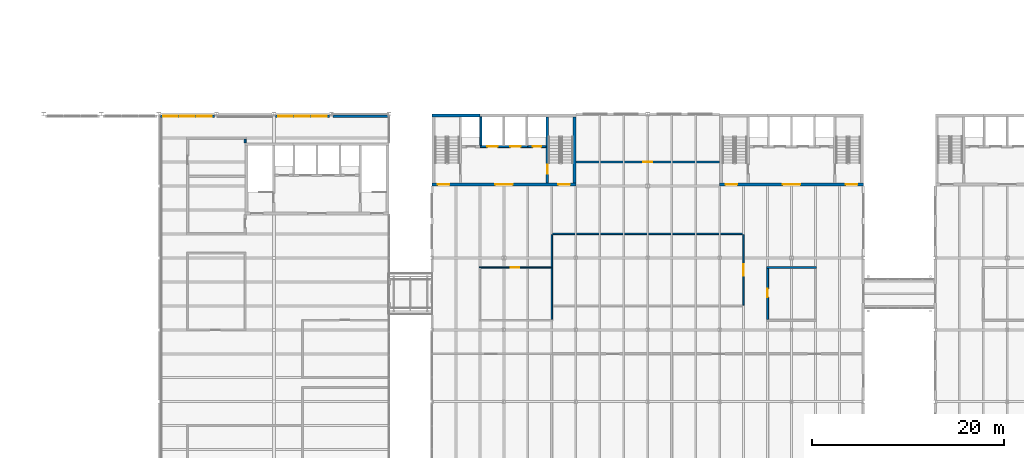
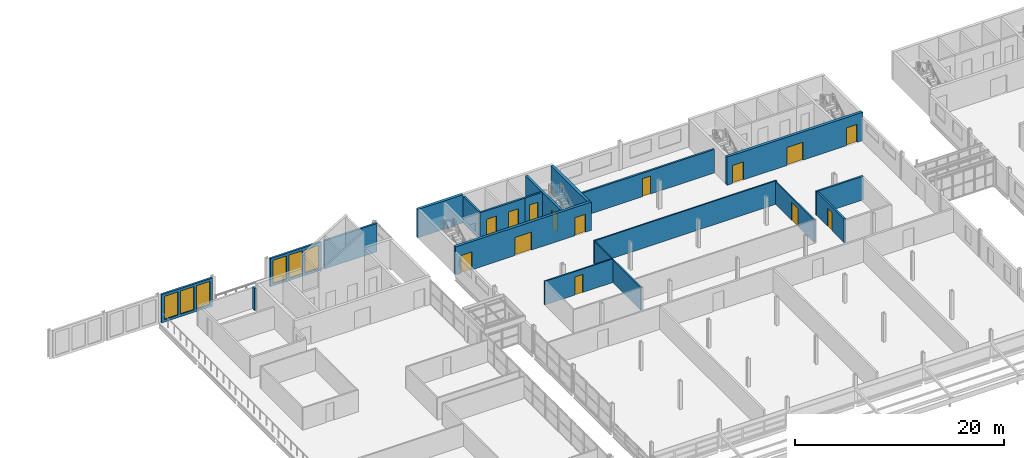
# One storey, part 66 of 214: 19 walls, 14 doors, 6 windows, 20 openings.
"""IFC4 building model written with IfcOpenShell, lengths in metres."""

import ifcopenshell
import ifcopenshell.guid

model = None  # the IFC model being written
_history = None  # IfcOwnerHistory: only IFC2X3 demands one
_inside = {}  # id of a spatial element -> (the spatial element, [elements in it])
_under = {}  # id of a project, library or spatial element -> (it, [spatial elements below it])
_declared = {}  # id of a project -> (the project, [libraries it declares])
_typed = {}  # id of a type object -> (the type object, [elements of that type])
_made_of = {}  # id of a material, layer set ... -> (it, [elements and type objects made of it])


def new_model(schema):
    """Start an empty IFC model of exactly this schema.

    Asked for "IFC4X3", IfcOpenShell would pick the latest addendum, in which some entities
    have other attributes; the version numbers below select the first issue.
    IFC2X3 requires an IfcOwnerHistory on every rooted entity: one is made here for all.
    """
    global model, _history
    if schema == "IFC4X3":
        model = ifcopenshell.file(schema_version=(4, 3, 0, 0))
    else:
        model = ifcopenshell.file(schema=schema)
    _inside.clear()
    _under.clear()
    _declared.clear()
    _typed.clear()
    _made_of.clear()
    _history = None
    if model.schema == "IFC2X3":
        org = make("IfcOrganization", Name="unknown")
        user = make(
            "IfcPersonAndOrganization",
            ThePerson=make("IfcPerson", FamilyName="unknown"),
            TheOrganization=org,
        )
        app = make(
            "IfcApplication",
            ApplicationDeveloper=org,
            Version="unknown",
            ApplicationFullName="unknown",
            ApplicationIdentifier="unknown",
        )
        _history = make(
            "IfcOwnerHistory",
            OwningUser=user,
            OwningApplication=app,
            ChangeAction="ADDED",
            CreationDate=0,
        )
    return model


def make(cls, **values):
    """One entity of the class cls with the attributes given. An attribute that is None is left unset."""
    return model.create_entity(
        cls, **{name: value for name, value in values.items() if value is not None}
    )


def rooted(cls, **values):
    """An entity with a GlobalId (a new one), such as an element, a storey or a relation."""
    return make(cls, GlobalId=ifcopenshell.guid.new(), OwnerHistory=_history, **values)


def si_unit(unit_type, name, prefix=None):
    """IfcSIUnit, for example si_unit("LENGTHUNIT", "METRE", prefix="MILLI")."""
    return make("IfcSIUnit", UnitType=unit_type, Prefix=prefix, Name=name)


def assignment(units):
    """IfcUnitAssignment: the units of a project."""
    return None if units is None else make("IfcUnitAssignment", Units=units)


def point(xyz):
    """IfcCartesianPoint."""
    return None if xyz is None else make("IfcCartesianPoint", Coordinates=xyz)


def direction(xyz):
    """IfcDirection."""
    return None if xyz is None else make("IfcDirection", DirectionRatios=xyz)


def frame(location, z_axis=None, x_axis=None):
    """IfcAxis2Placement3D, a coordinate frame: its origin and axes. An axis left out is left unset."""
    return make(
        "IfcAxis2Placement3D",
        Location=point(location),
        Axis=direction(z_axis),
        RefDirection=direction(x_axis),
    )


def frame_2d(location, x_axis=None):
    """IfcAxis2Placement2D, a coordinate frame in the plane: its origin and x axis."""
    return make(
        "IfcAxis2Placement2D", Location=point(location), RefDirection=direction(x_axis)
    )


def origin():
    """The frame at (0, 0, 0) with its axes left unset."""
    return frame((0.0, 0.0, 0.0))


def place(relative_to, where):
    """IfcLocalPlacement: puts the frame where relative to a parent placement (None: the world)."""
    return make(
        "IfcLocalPlacement", PlacementRelTo=relative_to, RelativePlacement=where
    )


def context(
    kind, dimensions, precision=None, world=None, true_north=None, identifier=None
):
    """IfcGeometricRepresentationContext, for example the 3D "Model" context."""
    return make(
        "IfcGeometricRepresentationContext",
        ContextIdentifier=identifier,
        ContextType=kind,
        CoordinateSpaceDimension=dimensions,
        Precision=precision,
        WorldCoordinateSystem=world,
        TrueNorth=true_north,
    )


def subcontext(parent, identifier, kind, view, scale=None):
    """IfcGeometricRepresentationSubContext, for example "Body" below "Model"."""
    return make(
        "IfcGeometricRepresentationSubContext",
        ContextIdentifier=identifier,
        ContextType=kind,
        ParentContext=parent,
        TargetScale=scale,
        TargetView=view,
    )


def project(units=None, contexts=None):
    """IfcProject with its units and contexts."""
    return rooted(
        "IfcProject",
        Name="project",
        RepresentationContexts=contexts,
        UnitsInContext=assignment(units),
    )


def spatial(cls, under=None, at=None, **own):
    """A site, building, storey or space (cls), placed at a placement, below another one or the project."""
    s = rooted(cls, ObjectPlacement=at, **own)
    if under is not None:
        _under.setdefault(under.id(), (under, []))[1].append(s)
    return s


def profile(cls, at=None, kind="AREA", **sizes):
    """A parametric profile (cls). Its sizes go by their IFC names, for example OverallWidth=200.0."""
    return make(cls, ProfileType=kind, Position=at, **sizes)


def rectangle(**sizes):
    """IfcRectangleProfileDef."""
    return profile("IfcRectangleProfileDef", **sizes)


def extrude(swept, where, along, depth):
    """IfcExtrudedAreaSolid: the profile swept, set in the frame where, extruded along a direction by depth."""
    return make(
        "IfcExtrudedAreaSolid",
        SweptArea=swept,
        Position=where,
        ExtrudedDirection=direction(along),
        Depth=depth,
    )


def shape(context_of_items, identifier, shape_type, items):
    """IfcShapeRepresentation: the items that make up one representation, for example the "Body"."""
    return make(
        "IfcShapeRepresentation",
        ContextOfItems=context_of_items,
        RepresentationIdentifier=identifier,
        RepresentationType=shape_type,
        Items=items,
    )


def material(Name=None, Category=None):
    """IfcMaterial."""
    return make("IfcMaterial", Name=Name, Category=Category)


def layer(
    of_material, thickness, ventilated=None, Name=None, Category=None, Priority=None
):
    """IfcMaterialLayer: one layer of a wall or slab, of a material (None: an air gap)."""
    return make(
        "IfcMaterialLayer",
        Material=of_material,
        LayerThickness=thickness,
        IsVentilated=ventilated,
        Name=Name,
        Category=Category,
        Priority=Priority,
    )


def layer_set(layers, Name=None):
    """IfcMaterialLayerSet."""
    return make("IfcMaterialLayerSet", MaterialLayers=layers, LayerSetName=Name)


def made_of(thing, what):
    """Note that an element or type object is made of a material, layer set ...; save() writes the relation."""
    if what is not None:
        _made_of.setdefault(what.id(), (what, []))[1].append(thing)
    return thing


def type_object(cls, material=None, **own):
    """A type object (cls), such as IfcWallType, which elements share."""
    return made_of(rooted(cls, **own), material)


def element(
    cls,
    number,
    at=None,
    inside=None,
    cuts=None,
    type_object=None,
    material=None,
    context=None,
    identifier="Body",
    shape_type=None,
    held_by="IfcProductDefinitionShape",
    body=None,
    shapes=None,
    **own,
):
    """One element of the class cls, such as IfcWall. Its Tag is "e" and its number.

    at: its placement. inside: the storey or other place that contains it. cuts: it is an
    opening in that element (IfcRelVoidsElement). A single representation is given by context,
    identifier, shape_type and body (its items); several are given by shapes. held_by: the class
    of the entity that holds the representations. save() writes the other relations.
    """
    e = rooted(cls, Tag="e%d" % number, ObjectPlacement=at, **own)
    if body is not None:
        shapes = [shape(context, identifier, shape_type, body)]
    if shapes is not None:
        e.Representation = make(held_by, Representations=shapes)
    if inside is not None:
        _inside.setdefault(inside.id(), (inside, []))[1].append(e)
    if cuts is not None:
        rooted(
            "IfcRelVoidsElement", RelatingBuildingElement=cuts, RelatedOpeningElement=e
        )
    if type_object is not None:
        _typed.setdefault(type_object.id(), (type_object, []))[1].append(e)
    return made_of(e, material)


def fill(opening, filler):
    """IfcRelFillsElement: the door or window that sits in an opening."""
    return rooted(
        "IfcRelFillsElement",
        RelatingOpeningElement=opening,
        RelatedBuildingElement=filler,
    )


def aggregate(whole, parts):
    """IfcRelAggregates: a whole, such as a stair, and the parts it consists of."""
    return rooted("IfcRelAggregates", RelatingObject=whole, RelatedObjects=parts)


def save(model, path):
    """Write the relations noted so far, then the file.

    IfcRelAggregates (storeys below a building ...), IfcRelContainedInSpatialStructure (elements
    in a storey), IfcRelDefinesByType, IfcRelAssociatesMaterial and IfcRelDeclares: one each for
    every whole, place, type object, material and project.
    """
    for whole, parts in _under.values():
        aggregate(whole, parts)
    for where, things in _inside.values():
        rooted(
            "IfcRelContainedInSpatialStructure",
            RelatedElements=things,
            RelatingStructure=where,
        )
    for kind, things in _typed.values():
        rooted("IfcRelDefinesByType", RelatedObjects=things, RelatingType=kind)
    for what, things in _made_of.values():
        rooted("IfcRelAssociatesMaterial", RelatedObjects=things, RelatingMaterial=what)
    for by, libraries in _declared.values():
        rooted("IfcRelDeclares", RelatingContext=by, RelatedDefinitions=libraries)
    model.write(path)


model = new_model("IFC4")

# Units and contexts
model_context = context("Model", 3, precision=1e-05, world=origin(), true_north=direction((0.0, 1.0)))
body_context = subcontext(model_context, "Body", "Model", "MODEL_VIEW")
ifc_project = project(units=[si_unit("LENGTHUNIT", "METRE"), si_unit("AREAUNIT", "SQUARE_METRE"), si_unit("VOLUMEUNIT", "CUBIC_METRE"), si_unit("PLANEANGLEUNIT", "RADIAN"), si_unit("MASSUNIT", "GRAM", prefix="KILO")], contexts=[model_context])

# Site, building, storey
site_placement = place(None, origin())
site = spatial("IfcSite", under=ifc_project, at=site_placement, CompositionType="ELEMENT")
building_placement = place(site_placement, origin())
building = spatial("IfcBuilding", under=site, at=building_placement, Name="Parallax Yard Mobility Hub", CompositionType="ELEMENT")
storey_placement = place(building_placement, frame((0.0, 0.0, 3.300048828125)))
storey = spatial("IfcBuildingStorey", under=building, at=storey_placement, Name="L01", CompositionType="ELEMENT", Elevation=3.300048828125)

# Wall, openings, doors
ifc_material_1 = material(Name="Concrete fc' 35 MPa", Category="concrete")
ifc_layer_1 = layer(ifc_material_1, 0.300048828125)
ifc_layer_set_1 = layer_set([ifc_layer_1], Name="Concrete fc' 35 MPa core wall 300")
wall_type_1 = type_object("IfcWallType", Name="Concrete fc' 35 MPa core wall 300", PredefinedType="SHEAR", material=ifc_layer_set_1)
wall_1_placement = place(storey_placement, frame((112.5, 45.14990234375, 0.0), z_axis=(0.0, 0.0, 1.0), x_axis=(-1.0, 0.0, 0.0)))
wall_1 = element("IfcWall", 1, at=wall_1_placement, inside=storey, type_object=wall_type_1, Name="Core C6-W entry wall level L01", PredefinedType="SHEAR", context=body_context, shape_type="SweptSolid", body=[
    extrude(rectangle(XDim=15.0, YDim=0.300048828125, at=frame_2d((7.5, 0.0))), origin(), (0.0, 0.0, 1.0), 3.300048828125),
])
opening_1_placement = place(wall_1_placement, frame((13.179931640625, 0.0, 0.0)))
opening_1 = element("IfcOpeningElement", 2, at=opening_1_placement, cuts=wall_1, Name="Opening L01-D733", PredefinedType="OPENING", context=body_context, shape_type="SweptSolid", body=[
    extrude(rectangle(XDim=1.199951171875, YDim=2.10009765625, at=frame_2d((0.60009765625, 1.050048828125))), frame((0.0, 0.16015625, 0.0), z_axis=(0.0, -1.0, 0.0), x_axis=(1.0, 0.0, 0.0)), (0.0, 0.0, 1.0), 0.320068359375),
])
opening_2_placement = place(wall_1_placement, frame((0.6201171875, 0.0, 0.0)))
opening_2 = element("IfcOpeningElement", 3, at=opening_2_placement, cuts=wall_1, Name="Opening L01-D734", PredefinedType="OPENING", context=body_context, shape_type="SweptSolid", body=[
    extrude(rectangle(XDim=1.199951171875, YDim=2.10009765625, at=frame_2d((0.60009765625, 1.050048828125))), frame((0.0, 0.16015625, 0.0), z_axis=(0.0, -1.0, 0.0), x_axis=(1.0, 0.0, 0.0)), (0.0, 0.0, 1.0), 0.320068359375),
])
opening_3_placement = place(wall_1_placement, frame((6.60009765625, 0.0, 0.0)))
opening_3 = element("IfcOpeningElement", 4, at=opening_3_placement, cuts=wall_1, Name="Opening L01-D735", PredefinedType="OPENING", context=body_context, shape_type="SweptSolid", body=[
    extrude(rectangle(XDim=1.800048828125, YDim=2.10009765625, at=frame_2d((0.89990234375, 1.050048828125))), frame((0.0, 0.16015625, 0.0), z_axis=(0.0, -1.0, 0.0), x_axis=(1.0, 0.0, 0.0)), (0.0, 0.0, 1.0), 0.320068359375),
])
ifc_material_2 = material(Name="Hollow metal steel door and frame", Category="steel")
door_type_1 = type_object("IfcDoorType", Name="Core door 1200 x 2100 FD90", OperationType="NOTDEFINED", PredefinedType="DOOR", material=ifc_material_2)
door_1_placement = place(opening_1_placement, origin())
door_1 = element("IfcDoor", 5, at=door_1_placement, inside=storey, type_object=door_type_1, Name="Stair deck door L01-D733, core C6-W level L01", OperationType="SINGLE_SWING_RIGHT", OverallHeight=2.10009765625, OverallWidth=1.199951171875, PredefinedType="DOOR", context=body_context, shape_type="SweptSolid", body=[
    extrude(rectangle(XDim=1.199951171875, YDim=2.10009765625, at=frame_2d((0.60009765625, 1.050048828125))), frame((0.0, 0.02490234375, 0.0), z_axis=(0.0, -1.0, 0.0), x_axis=(1.0, 0.0, 0.0)), (0.0, 0.0, 1.0), 0.050048828125),
])
fill(opening_1, door_1)
door_2_placement = place(opening_2_placement, origin())
door_2 = element("IfcDoor", 6, at=door_2_placement, inside=storey, type_object=door_type_1, Name="Stair deck door L01-D734, core C6-W level L01", OperationType="SINGLE_SWING_LEFT", OverallHeight=2.10009765625, OverallWidth=1.199951171875, PredefinedType="DOOR", context=body_context, shape_type="SweptSolid", body=[
    extrude(rectangle(XDim=1.199951171875, YDim=2.10009765625, at=frame_2d((0.60009765625, 1.050048828125))), frame((0.0, 0.02490234375, 0.0), z_axis=(0.0, -1.0, 0.0), x_axis=(1.0, 0.0, 0.0)), (0.0, 0.0, 1.0), 0.050048828125),
])
fill(opening_2, door_2)
door_type_2 = type_object("IfcDoorType", Name="Core double door 1800 x 2100 FD90", OperationType="NOTDEFINED", PredefinedType="DOOR", material=ifc_material_2)
door_3_placement = place(opening_3_placement, origin())
door_3 = element("IfcDoor", 7, at=door_3_placement, inside=storey, type_object=door_type_2, Name="Lift lobby door L01-D735, core C6-W level L01", OperationType="DOUBLE_DOOR_SINGLE_SWING", OverallHeight=2.10009765625, OverallWidth=1.800048828125, PredefinedType="DOOR", context=body_context, shape_type="SweptSolid", body=[
    extrude(rectangle(XDim=1.800048828125, YDim=2.10009765625, at=frame_2d((0.89990234375, 1.050048828125))), frame((0.0, 0.02490234375, 0.0), z_axis=(0.0, -1.0, 0.0), x_axis=(1.0, 0.0, 0.0)), (0.0, 0.0, 1.0), 0.050048828125),
])
fill(opening_3, door_3)

# Walls
wall_2_placement = place(storey_placement, frame((97.5, 52.35009765625, 0.0), z_axis=(0.0, 0.0, 1.0), x_axis=(1.0, 0.0, 0.0)))
element("IfcWall", 8, at=wall_2_placement, inside=storey, type_object=wall_type_1, Name="Core C6-W back wall part 1 level L01", PredefinedType="SHEAR", context=body_context, shape_type="SweptSolid", body=[
    extrude(rectangle(XDim=5.0, YDim=0.300048828125, at=frame_2d((2.5, 0.0))), origin(), (0.0, 0.0, 1.0), 3.300048828125),
])
wall_3_placement = place(storey_placement, frame((112.35009765625, 52.199951171875, 0.0), z_axis=(0.0, 0.0, 1.0), x_axis=(0.0, -1.0, 0.0)))
element("IfcWall", 9, at=wall_3_placement, inside=storey, type_object=wall_type_1, Name="Core C6-W east-side end wall level L01", PredefinedType="SHEAR", context=body_context, shape_type="SweptSolid", body=[
    extrude(rectangle(XDim=6.89990234375, YDim=0.300048828125, at=frame_2d((3.449951171875, 0.0))), origin(), (0.0, 0.0, 1.0), 3.300048828125),
])

# Wall, openings, doors
wall_4_placement = place(storey_placement, frame((142.5, 45.14990234375, 0.0), z_axis=(0.0, 0.0, 1.0), x_axis=(-1.0, 0.0, 0.0)))
wall_4 = element("IfcWall", 10, at=wall_4_placement, inside=storey, type_object=wall_type_1, Name="Core C6-E entry wall level L01", PredefinedType="SHEAR", context=body_context, shape_type="SweptSolid", body=[
    extrude(rectangle(XDim=15.0, YDim=0.300048828125, at=frame_2d((7.5, 0.0))), origin(), (0.0, 0.0, 1.0), 3.300048828125),
])
opening_4_placement = place(wall_4_placement, frame((13.179931640625, 0.0, 0.0)))
opening_4 = element("IfcOpeningElement", 11, at=opening_4_placement, cuts=wall_4, Name="Opening L01-D742", PredefinedType="OPENING", context=body_context, shape_type="SweptSolid", body=[
    extrude(rectangle(XDim=1.199951171875, YDim=2.10009765625, at=frame_2d((0.60009765625, 1.050048828125))), frame((0.0, 0.16015625, 0.0), z_axis=(0.0, -1.0, 0.0), x_axis=(1.0, 0.0, 0.0)), (0.0, 0.0, 1.0), 0.320068359375),
])
opening_5_placement = place(wall_4_placement, frame((0.6201171875, 0.0, 0.0)))
opening_5 = element("IfcOpeningElement", 12, at=opening_5_placement, cuts=wall_4, Name="Opening L01-D743", PredefinedType="OPENING", context=body_context, shape_type="SweptSolid", body=[
    extrude(rectangle(XDim=1.199951171875, YDim=2.10009765625, at=frame_2d((0.60009765625, 1.050048828125))), frame((0.0, 0.16015625, 0.0), z_axis=(0.0, -1.0, 0.0), x_axis=(1.0, 0.0, 0.0)), (0.0, 0.0, 1.0), 0.320068359375),
])
opening_6_placement = place(wall_4_placement, frame((6.60009765625, 0.0, 0.0)))
opening_6 = element("IfcOpeningElement", 13, at=opening_6_placement, cuts=wall_4, Name="Opening L01-D744", PredefinedType="OPENING", context=body_context, shape_type="SweptSolid", body=[
    extrude(rectangle(XDim=1.800048828125, YDim=2.10009765625, at=frame_2d((0.89990234375, 1.050048828125))), frame((0.0, 0.16015625, 0.0), z_axis=(0.0, -1.0, 0.0), x_axis=(1.0, 0.0, 0.0)), (0.0, 0.0, 1.0), 0.320068359375),
])
door_4_placement = place(opening_4_placement, origin())
door_4 = element("IfcDoor", 14, at=door_4_placement, inside=storey, type_object=door_type_1, Name="Stair deck door L01-D742, core C6-E level L01", OperationType="SINGLE_SWING_RIGHT", OverallHeight=2.10009765625, OverallWidth=1.199951171875, PredefinedType="DOOR", context=body_context, shape_type="SweptSolid", body=[
    extrude(rectangle(XDim=1.199951171875, YDim=2.10009765625, at=frame_2d((0.60009765625, 1.050048828125))), frame((0.0, 0.02490234375, 0.0), z_axis=(0.0, -1.0, 0.0), x_axis=(1.0, 0.0, 0.0)), (0.0, 0.0, 1.0), 0.050048828125),
])
fill(opening_4, door_4)
door_5_placement = place(opening_5_placement, origin())
door_5 = element("IfcDoor", 15, at=door_5_placement, inside=storey, type_object=door_type_1, Name="Stair deck door L01-D743, core C6-E level L01", OperationType="SINGLE_SWING_LEFT", OverallHeight=2.10009765625, OverallWidth=1.199951171875, PredefinedType="DOOR", context=body_context, shape_type="SweptSolid", body=[
    extrude(rectangle(XDim=1.199951171875, YDim=2.10009765625, at=frame_2d((0.60009765625, 1.050048828125))), frame((0.0, 0.02490234375, 0.0), z_axis=(0.0, -1.0, 0.0), x_axis=(1.0, 0.0, 0.0)), (0.0, 0.0, 1.0), 0.050048828125),
])
fill(opening_5, door_5)
door_6_placement = place(opening_6_placement, origin())
door_6 = element("IfcDoor", 16, at=door_6_placement, inside=storey, type_object=door_type_2, Name="Lift lobby door L01-D744, core C6-E level L01", OperationType="DOUBLE_DOOR_SINGLE_SWING", OverallHeight=2.10009765625, OverallWidth=1.800048828125, PredefinedType="DOOR", context=body_context, shape_type="SweptSolid", body=[
    extrude(rectangle(XDim=1.800048828125, YDim=2.10009765625, at=frame_2d((0.89990234375, 1.050048828125))), frame((0.0, 0.02490234375, 0.0), z_axis=(0.0, -1.0, 0.0), x_axis=(1.0, 0.0, 0.0)), (0.0, 0.0, 1.0), 0.050048828125),
])
fill(opening_6, door_6)

ifc_layer_2 = layer(ifc_material_1, 0.199951171875)
ifc_layer_set_2 = layer_set([ifc_layer_2], Name="Concrete fc' 35 MPa internal core wall 200")
wall_type_2 = type_object("IfcWallType", Name="Concrete fc' 35 MPa internal core wall 200", PredefinedType="STANDARD", material=ifc_layer_set_2)
wall_5_placement = place(storey_placement, frame((102.5, 49.10009765625, 0.0), z_axis=(0.0, 0.0, 1.0), x_axis=(1.0, 0.0, 0.0)))
wall_5 = element("IfcWall", 17, at=wall_5_placement, inside=storey, type_object=wall_type_2, Name="Core C6-W lift front 2 part 2 level L01", PredefinedType="STANDARD", context=body_context, shape_type="SweptSolid", body=[
    extrude(rectangle(XDim=5.0, YDim=0.199951171875, at=frame_2d((2.5, 0.0))), origin(), (0.0, 0.0, 1.0), 3.099853515625),
])
opening_7_placement = place(wall_5_placement, frame((0.75, 0.0, 0.0)))
opening_7 = element("IfcOpeningElement", 18, at=opening_7_placement, cuts=wall_5, Name="Opening L01-D738", PredefinedType="OPENING", context=body_context, shape_type="SweptSolid", body=[
    extrude(rectangle(XDim=1.10009765625, YDim=2.10009765625, at=frame_2d((0.550048828125, 1.050048828125))), frame((0.0, 0.10986328125, 0.0), z_axis=(0.0, -1.0, 0.0), x_axis=(1.0, 0.0, 0.0)), (0.0, 0.0, 1.0), 0.219970703125),
])
opening_8_placement = place(wall_5_placement, frame((3.14990234375, 0.0, 0.0)))
opening_8 = element("IfcOpeningElement", 19, at=opening_8_placement, cuts=wall_5, Name="Opening L01-D739", PredefinedType="OPENING", context=body_context, shape_type="SweptSolid", body=[
    extrude(rectangle(XDim=1.10009765625, YDim=2.10009765625, at=frame_2d((0.550048828125, 1.050048828125))), frame((0.0, 0.10986328125, 0.0), z_axis=(0.0, -1.0, 0.0), x_axis=(1.0, 0.0, 0.0)), (0.0, 0.0, 1.0), 0.219970703125),
])
ifc_material_3 = material(Name="Stainless steel sliding door and frame", Category="steel")
door_type_3 = type_object("IfcDoorType", Name="Lift landing door 1100 x 2100 FD90", OperationType="DOUBLE_DOOR_SLIDING", PredefinedType="DOOR", material=ifc_material_3)
door_7_placement = place(opening_7_placement, origin())
door_7 = element("IfcDoor", 20, at=door_7_placement, inside=storey, type_object=door_type_3, Name="Lift landing door L01-D738, core C6-W level L01", OperationType="DOUBLE_DOOR_SLIDING", OverallHeight=2.10009765625, OverallWidth=1.10009765625, PredefinedType="DOOR", context=body_context, shape_type="SweptSolid", body=[
    extrude(rectangle(XDim=1.10009765625, YDim=2.10009765625, at=frame_2d((0.550048828125, 1.050048828125))), frame((0.0, 0.02490234375, 0.0), z_axis=(0.0, -1.0, 0.0), x_axis=(1.0, 0.0, 0.0)), (0.0, 0.0, 1.0), 0.050048828125),
])
fill(opening_7, door_7)
door_8_placement = place(opening_8_placement, origin())
door_8 = element("IfcDoor", 21, at=door_8_placement, inside=storey, type_object=door_type_3, Name="Lift landing door L01-D739, core C6-W level L01", OperationType="DOUBLE_DOOR_SLIDING", OverallHeight=2.10009765625, OverallWidth=1.10009765625, PredefinedType="DOOR", context=body_context, shape_type="SweptSolid", body=[
    extrude(rectangle(XDim=1.10009765625, YDim=2.10009765625, at=frame_2d((0.550048828125, 1.050048828125))), frame((0.0, 0.02490234375, 0.0), z_axis=(0.0, -1.0, 0.0), x_axis=(1.0, 0.0, 0.0)), (0.0, 0.0, 1.0), 0.050048828125),
])
fill(opening_8, door_8)

# Wall, opening, door
wall_6_placement = place(storey_placement, frame((109.39990234375, 49.10009765625, 0.0), z_axis=(0.0, 0.0, 1.0), x_axis=(-1.0, 0.0, 0.0)))
wall_6 = element("IfcWall", 22, at=wall_6_placement, inside=storey, type_object=wall_type_2, Name="Core C6-W lift front 3 part 3 level L01", PredefinedType="STANDARD", context=body_context, shape_type="SweptSolid", body=[
    extrude(rectangle(XDim=1.89990234375, YDim=0.199951171875, at=frame_2d((0.949951171875, 0.0))), origin(), (0.0, 0.0, 1.0), 3.099853515625),
])
opening_9_placement = place(wall_6_placement, frame((0.5, 0.0, 0.0)))
opening_9 = element("IfcOpeningElement", 23, at=opening_9_placement, cuts=wall_6, Name="Opening L01-D741", PredefinedType="OPENING", context=body_context, shape_type="SweptSolid", body=[
    extrude(rectangle(XDim=0.89990234375, YDim=2.10009765625, at=frame_2d((0.449951171875, 1.050048828125))), frame((0.0, 0.10986328125, 0.0), z_axis=(0.0, -1.0, 0.0), x_axis=(1.0, 0.0, 0.0)), (0.0, 0.0, 1.0), 0.219970703125),
])
door_type_4 = type_object("IfcDoorType", Name="Riser door 900 x 2100 FD90", OperationType="NOTDEFINED", PredefinedType="DOOR", material=ifc_material_2)
door_9_placement = place(opening_9_placement, origin())
door_9 = element("IfcDoor", 24, at=door_9_placement, inside=storey, type_object=door_type_4, Name="Riser door L01-D741, core C6-W level L01", OperationType="SINGLE_SWING_LEFT", OverallHeight=2.10009765625, OverallWidth=0.89990234375, PredefinedType="DOOR", context=body_context, shape_type="SweptSolid", body=[
    extrude(rectangle(XDim=0.89990234375, YDim=2.10009765625, at=frame_2d((0.449951171875, 1.050048828125))), frame((0.0, 0.02490234375, 0.0), z_axis=(0.0, -1.0, 0.0), x_axis=(1.0, 0.0, 0.0)), (0.0, 0.0, 1.0), 0.050048828125),
])
fill(opening_9, door_9)

# Wall
wall_7_placement = place(storey_placement, frame((102.60009765625, 49.199951171875, 0.0), z_axis=(0.0, 0.0, 1.0), x_axis=(0.0, 1.0, 0.0)))
element("IfcWall", 25, at=wall_7_placement, inside=storey, type_object=wall_type_2, Name="Core C6-W lift wall 1 part 1 level L01", PredefinedType="STANDARD", context=body_context, shape_type="SweptSolid", body=[
    extrude(rectangle(XDim=3.0, YDim=0.199951171875, at=frame_2d((1.5, 0.0))), origin(), (0.0, 0.0, 1.0), 3.099853515625),
])

# Wall, opening, door
ifc_layer_3 = layer(ifc_material_1, 0.25)
ifc_layer_set_3 = layer_set([ifc_layer_3], Name="Concrete fc' 35 MPa stair enclosure wall 250")
wall_type_3 = type_object("IfcWallType", Name="Concrete fc' 35 MPa stair enclosure wall 250", PredefinedType="STANDARD", material=ifc_layer_set_3)
wall_8_placement = place(storey_placement, frame((109.52490234375, 52.199951171875, 0.0), z_axis=(0.0, 0.0, 1.0), x_axis=(0.0, -1.0, 0.0)))
wall_8 = element("IfcWall", 26, at=wall_8_placement, inside=storey, type_object=wall_type_3, Name="Core C6-W stair 2 partition level L01", PredefinedType="STANDARD", context=body_context, shape_type="SweptSolid", body=[
    extrude(rectangle(XDim=6.89990234375, YDim=0.25, at=frame_2d((3.449951171875, 0.0))), origin(), (0.0, 0.0, 1.0), 3.099853515625),
])
opening_10_placement = place(wall_8_placement, frame((5.0, 0.0, 0.0)))
opening_10 = element("IfcOpeningElement", 27, at=opening_10_placement, cuts=wall_8, Name="Opening L01-D737", PredefinedType="OPENING", context=body_context, shape_type="SweptSolid", body=[
    extrude(rectangle(XDim=0.89990234375, YDim=2.10009765625, at=frame_2d((0.449951171875, 1.050048828125))), frame((0.0, 0.135009765625, 0.0), z_axis=(0.0, -1.0, 0.0), x_axis=(1.0, 0.0, 0.0)), (0.0, 0.0, 1.0), 0.27001953125),
])
door_type_5 = type_object("IfcDoorType", Name="Core door 900 x 2100 FD90", OperationType="NOTDEFINED", PredefinedType="DOOR", material=ifc_material_2)
door_10_placement = place(opening_10_placement, origin())
door_10 = element("IfcDoor", 28, at=door_10_placement, inside=storey, type_object=door_type_5, Name="Stair lobby door L01-D737, core C6-W level L01", OperationType="SINGLE_SWING_RIGHT", OverallHeight=2.10009765625, OverallWidth=0.89990234375, PredefinedType="DOOR", context=body_context, shape_type="SweptSolid", body=[
    extrude(rectangle(XDim=0.89990234375, YDim=2.10009765625, at=frame_2d((0.449951171875, 1.050048828125))), frame((0.0, 0.02490234375, 0.0), z_axis=(0.0, -1.0, 0.0), x_axis=(1.0, 0.0, 0.0)), (0.0, 0.0, 1.0), 0.050048828125),
])
fill(opening_10, door_10)

# Wall
ifc_material_4 = material(Name="Fire-rated plasterboard partition, two layers each side")
ifc_layer_4 = layer(ifc_material_4, 0.199951171875)
ifc_layer_set_4 = layer_set([ifc_layer_4], Name="Fire-rated partition 200 mm")
wall_type_4 = type_object("IfcWallType", Name="Fire-rated partition 200 mm", PredefinedType="PARTITIONING", material=ifc_layer_set_4)
wall_9_placement = place(storey_placement, frame((132.39990234375, 36.5, 0.0), z_axis=(0.0, 0.0, 1.0), x_axis=(1.0, 0.0, 0.0)))
element("IfcWall", 29, at=wall_9_placement, inside=storey, type_object=wall_type_4, Name="Partition 19 level L01", PredefinedType="PARTITIONING", context=body_context, shape_type="SweptSolid", body=[
    extrude(rectangle(XDim=5.2001953125, YDim=0.199951171875, at=frame_2d((2.60009765625, 0.0))), origin(), (0.0, 0.0, 1.0), 2.7509765625),
])

# Wall, opening, door
wall_10_placement = place(storey_placement, frame((112.5, 47.5, 0.0), z_axis=(0.0, 0.0, 1.0), x_axis=(1.0, 0.0, 0.0)))
wall_10 = element("IfcWall", 30, at=wall_10_placement, inside=storey, type_object=wall_type_4, Name="Partition 28 level L01", PredefinedType="PARTITIONING", context=body_context, shape_type="SweptSolid", body=[
    extrude(rectangle(XDim=15.0, YDim=0.199951171875, at=frame_2d((7.5, 0.0))), origin(), (0.0, 0.0, 1.0), 2.7509765625),
])
opening_11_placement = place(wall_10_placement, frame((7.050048828125, 0.0, 0.0)))
opening_11 = element("IfcOpeningElement", 31, at=opening_11_placement, cuts=wall_10, Name="Opening L01-D220", PredefinedType="OPENING", context=body_context, shape_type="SweptSolid", body=[
    extrude(rectangle(XDim=0.89990234375, YDim=2.10009765625, at=frame_2d((0.449951171875, 1.050048828125))), frame((0.0, 0.10986328125, 0.0), z_axis=(0.0, -1.0, 0.0), x_axis=(1.0, 0.0, 0.0)), (0.0, 0.0, 1.0), 0.219970703125),
])
ifc_material_5 = material(Name="Hollow metal fire door leaf with intumescent seals")
door_type_6 = type_object("IfcDoorType", Name="Fire door 900 mm FD60", OperationType="NOTDEFINED", PredefinedType="DOOR", material=ifc_material_5)
door_11_placement = place(opening_11_placement, origin())
door_11 = element("IfcDoor", 32, at=door_11_placement, inside=storey, type_object=door_type_6, Name="Door L01-D220 Control Room", OperationType="SINGLE_SWING_RIGHT", OverallHeight=2.10009765625, OverallWidth=0.89990234375, PredefinedType="DOOR", context=body_context, shape_type="SweptSolid", body=[
    extrude(rectangle(XDim=0.89990234375, YDim=2.10009765625, at=frame_2d((0.449951171875, 1.050048828125))), frame((0.0, 0.02490234375, 0.0), z_axis=(0.0, -1.0, 0.0), x_axis=(1.0, 0.0, 0.0)), (0.0, 0.0, 1.0), 0.050048828125),
])
fill(opening_11, door_11)

# Wall
wall_11_placement = place(storey_placement, frame((78.0, 49.5, 0.0), z_axis=(0.0, 0.0, 1.0), x_axis=(0.0, 1.0, 0.0)))
element("IfcWall", 33, at=wall_11_placement, inside=storey, type_object=wall_type_4, Name="Partition 49 level L01", PredefinedType="PARTITIONING", context=body_context, shape_type="SweptSolid", body=[
    extrude(rectangle(XDim=0.39990234375, YDim=0.199951171875, at=frame_2d((0.199951171875, 0.0))), origin(), (0.0, 0.0, 1.0), 2.56005859375),
])

# Wall, opening, door
wall_12_placement = place(storey_placement, frame((132.5, 31.10009765625, 0.0), z_axis=(0.0, 0.0, 1.0), x_axis=(0.0, 1.0, 0.0)))
wall_12 = element("IfcWall", 34, at=wall_12_placement, inside=storey, type_object=wall_type_4, Name="Partition 62 level L01", PredefinedType="PARTITIONING", context=body_context, shape_type="SweptSolid", body=[
    extrude(rectangle(XDim=5.2998046875, YDim=0.199951171875, at=frame_2d((2.64990234375, 0.0))), origin(), (0.0, 0.0, 1.0), 2.75390625),
])
opening_12_placement = place(wall_12_placement, frame((2.300048828125, 0.0, 0.0)))
opening_12 = element("IfcOpeningElement", 35, at=opening_12_placement, cuts=wall_12, Name="Opening L01-D212", PredefinedType="OPENING", context=body_context, shape_type="SweptSolid", body=[
    extrude(rectangle(XDim=0.89990234375, YDim=2.10009765625, at=frame_2d((0.449951171875, 1.050048828125))), frame((0.0, 0.10986328125, 0.0), z_axis=(0.0, -1.0, 0.0), x_axis=(1.0, 0.0, 0.0)), (0.0, 0.0, 1.0), 0.219970703125),
])
door_12_placement = place(opening_12_placement, origin())
door_12 = element("IfcDoor", 36, at=door_12_placement, inside=storey, type_object=door_type_6, Name="Door L01-D212 Diagnostics Laboratory", OperationType="SINGLE_SWING_RIGHT", OverallHeight=2.10009765625, OverallWidth=0.89990234375, PredefinedType="DOOR", context=body_context, shape_type="SweptSolid", body=[
    extrude(rectangle(XDim=0.89990234375, YDim=2.10009765625, at=frame_2d((0.449951171875, 1.050048828125))), frame((0.0, 0.02490234375, 0.0), z_axis=(0.0, -1.0, 0.0), x_axis=(1.0, 0.0, 0.0)), (0.0, 0.0, 1.0), 0.050048828125),
])
fill(opening_12, door_12)

# Wall, openings, windows
ifc_layer_5 = layer(ifc_material_1, 0.219970703125)
ifc_layer_set_5 = layer_set([ifc_layer_5], Name="Gable panel, Concrete fc' 35 MPa precast, 220")
wall_type_5 = type_object("IfcWallType", Name="Gable panel, Concrete fc' 35 MPa precast, 220", PredefinedType="SOLIDWALL", material=ifc_layer_set_5)
wall_13_placement = place(storey_placement, frame((69.1865234375, 52.27587890625, 0.0), z_axis=(0.0, 0.0, 1.0), x_axis=(1.0, 0.0, 0.0)))
wall_13 = element("IfcWall", 37, at=wall_13_placement, inside=storey, type_object=wall_type_5, Name="Bus and taxi deck north gable wall bay 9 level L01", PredefinedType="SOLIDWALL", context=body_context, shape_type="SweptSolid", body=[
    extrude(rectangle(XDim=5.626953125, YDim=0.219970703125, at=frame_2d((2.8134765625, 0.0))), origin(), (0.0, 0.0, 1.0), 3.300048828125),
])
opening_13_placement = place(wall_13_placement, frame((0.28173828125, 0.0, 0.300048828125)))
opening_13 = element("IfcOpeningElement", 38, at=opening_13_placement, cuts=wall_13, Name="Opening LV8", PredefinedType="OPENING", context=body_context, shape_type="SweptSolid", body=[
    extrude(rectangle(XDim=1.5, YDim=2.699951171875, at=frame_2d((0.75, 1.35009765625))), frame((0.0, 0.1201171875, 0.0), z_axis=(0.0, -1.0, 0.0), x_axis=(1.0, 0.0, 0.0)), (0.0, 0.0, 1.0), 0.239990234375),
])
opening_14_placement = place(wall_13_placement, frame((2.0634765625, 0.0, 0.300048828125)))
opening_14 = element("IfcOpeningElement", 39, at=opening_14_placement, cuts=wall_13, Name="Opening LV8", PredefinedType="OPENING", context=body_context, shape_type="SweptSolid", body=[
    extrude(rectangle(XDim=1.5, YDim=2.699951171875, at=frame_2d((0.75, 1.35009765625))), frame((0.0, 0.1201171875, 0.0), z_axis=(0.0, -1.0, 0.0), x_axis=(1.0, 0.0, 0.0)), (0.0, 0.0, 1.0), 0.239990234375),
])
opening_15_placement = place(wall_13_placement, frame((3.84521484375, 0.0, 0.300048828125)))
opening_15 = element("IfcOpeningElement", 40, at=opening_15_placement, cuts=wall_13, Name="Opening LV8", PredefinedType="OPENING", context=body_context, shape_type="SweptSolid", body=[
    extrude(rectangle(XDim=1.5, YDim=2.699951171875, at=frame_2d((0.75, 1.35009765625))), frame((0.0, 0.1201171875, 0.0), z_axis=(0.0, -1.0, 0.0), x_axis=(1.0, 0.0, 0.0)), (0.0, 0.0, 1.0), 0.239990234375),
])
ifc_material_6 = material(Name="Extruded aluminium storm louvre blades in a powder-coated frame", Category="aluminium")
window_type = type_object("IfcWindowType", Name="Storm louvre 1500 x 2700", PartitioningType="SINGLE_PANEL", PredefinedType="WINDOW", material=ifc_material_6)
window_1_placement = place(opening_13_placement, origin())
window_1 = element("IfcWindow", 41, at=window_1_placement, inside=storey, type_object=window_type, Name="LV8 louvre level L01", OverallHeight=2.699951171875, OverallWidth=1.5, PartitioningType="SINGLE_PANEL", PredefinedType="WINDOW", context=body_context, shape_type="SweptSolid", body=[
    extrude(rectangle(XDim=1.5, YDim=2.699951171875, at=frame_2d((0.75, 1.35009765625))), frame((0.0, 0.030029296875, 0.0), z_axis=(0.0, -1.0, 0.0), x_axis=(1.0, 0.0, 0.0)), (0.0, 0.0, 1.0), 0.06005859375),
])
fill(opening_13, window_1)
window_2_placement = place(opening_14_placement, origin())
window_2 = element("IfcWindow", 42, at=window_2_placement, inside=storey, type_object=window_type, Name="LV8 louvre level L01", OverallHeight=2.699951171875, OverallWidth=1.5, PartitioningType="SINGLE_PANEL", PredefinedType="WINDOW", context=body_context, shape_type="SweptSolid", body=[
    extrude(rectangle(XDim=1.5, YDim=2.699951171875, at=frame_2d((0.75, 1.35009765625))), frame((0.0, 0.030029296875, 0.0), z_axis=(0.0, -1.0, 0.0), x_axis=(1.0, 0.0, 0.0)), (0.0, 0.0, 1.0), 0.06005859375),
])
fill(opening_14, window_2)
window_3_placement = place(opening_15_placement, origin())
window_3 = element("IfcWindow", 43, at=window_3_placement, inside=storey, type_object=window_type, Name="LV8 louvre level L01", OverallHeight=2.699951171875, OverallWidth=1.5, PartitioningType="SINGLE_PANEL", PredefinedType="WINDOW", context=body_context, shape_type="SweptSolid", body=[
    extrude(rectangle(XDim=1.5, YDim=2.699951171875, at=frame_2d((0.75, 1.35009765625))), frame((0.0, 0.030029296875, 0.0), z_axis=(0.0, -1.0, 0.0), x_axis=(1.0, 0.0, 0.0)), (0.0, 0.0, 1.0), 0.06005859375),
])
fill(opening_15, window_3)

wall_14_placement = place(storey_placement, frame((81.1865234375, 52.27587890625, 0.0), z_axis=(0.0, 0.0, 1.0), x_axis=(1.0, 0.0, 0.0)))
wall_14 = element("IfcWall", 44, at=wall_14_placement, inside=storey, type_object=wall_type_5, Name="Bus and taxi deck north gable wall bay 10 level L01", PredefinedType="SOLIDWALL", context=body_context, shape_type="SweptSolid", body=[
    extrude(rectangle(XDim=5.626953125, YDim=0.219970703125, at=frame_2d((2.8134765625, 0.0))), origin(), (0.0, 0.0, 1.0), 3.300048828125),
])
opening_16_placement = place(wall_14_placement, frame((0.28173828125, 0.0, 0.300048828125)))
opening_16 = element("IfcOpeningElement", 45, at=opening_16_placement, cuts=wall_14, Name="Opening LV8", PredefinedType="OPENING", context=body_context, shape_type="SweptSolid", body=[
    extrude(rectangle(XDim=1.5, YDim=2.699951171875, at=frame_2d((0.75, 1.35009765625))), frame((0.0, 0.1201171875, 0.0), z_axis=(0.0, -1.0, 0.0), x_axis=(1.0, 0.0, 0.0)), (0.0, 0.0, 1.0), 0.239990234375),
])
opening_17_placement = place(wall_14_placement, frame((2.0634765625, 0.0, 0.300048828125)))
opening_17 = element("IfcOpeningElement", 46, at=opening_17_placement, cuts=wall_14, Name="Opening LV8", PredefinedType="OPENING", context=body_context, shape_type="SweptSolid", body=[
    extrude(rectangle(XDim=1.5, YDim=2.699951171875, at=frame_2d((0.75, 1.35009765625))), frame((0.0, 0.1201171875, 0.0), z_axis=(0.0, -1.0, 0.0), x_axis=(1.0, 0.0, 0.0)), (0.0, 0.0, 1.0), 0.239990234375),
])
opening_18_placement = place(wall_14_placement, frame((3.84521484375, 0.0, 0.300048828125)))
opening_18 = element("IfcOpeningElement", 47, at=opening_18_placement, cuts=wall_14, Name="Opening LV8", PredefinedType="OPENING", context=body_context, shape_type="SweptSolid", body=[
    extrude(rectangle(XDim=1.5, YDim=2.699951171875, at=frame_2d((0.75, 1.35009765625))), frame((0.0, 0.1201171875, 0.0), z_axis=(0.0, -1.0, 0.0), x_axis=(1.0, 0.0, 0.0)), (0.0, 0.0, 1.0), 0.239990234375),
])
window_4_placement = place(opening_16_placement, origin())
window_4 = element("IfcWindow", 48, at=window_4_placement, inside=storey, type_object=window_type, Name="LV8 louvre level L01", OverallHeight=2.699951171875, OverallWidth=1.5, PartitioningType="SINGLE_PANEL", PredefinedType="WINDOW", context=body_context, shape_type="SweptSolid", body=[
    extrude(rectangle(XDim=1.5, YDim=2.699951171875, at=frame_2d((0.75, 1.35009765625))), frame((0.0, 0.030029296875, 0.0), z_axis=(0.0, -1.0, 0.0), x_axis=(1.0, 0.0, 0.0)), (0.0, 0.0, 1.0), 0.06005859375),
])
fill(opening_16, window_4)
window_5_placement = place(opening_17_placement, origin())
window_5 = element("IfcWindow", 49, at=window_5_placement, inside=storey, type_object=window_type, Name="LV8 louvre level L01", OverallHeight=2.699951171875, OverallWidth=1.5, PartitioningType="SINGLE_PANEL", PredefinedType="WINDOW", context=body_context, shape_type="SweptSolid", body=[
    extrude(rectangle(XDim=1.5, YDim=2.699951171875, at=frame_2d((0.75, 1.35009765625))), frame((0.0, 0.030029296875, 0.0), z_axis=(0.0, -1.0, 0.0), x_axis=(1.0, 0.0, 0.0)), (0.0, 0.0, 1.0), 0.06005859375),
])
fill(opening_17, window_5)
window_6_placement = place(opening_18_placement, origin())
window_6 = element("IfcWindow", 50, at=window_6_placement, inside=storey, type_object=window_type, Name="LV8 louvre level L01", OverallHeight=2.699951171875, OverallWidth=1.5, PartitioningType="SINGLE_PANEL", PredefinedType="WINDOW", context=body_context, shape_type="SweptSolid", body=[
    extrude(rectangle(XDim=1.5, YDim=2.699951171875, at=frame_2d((0.75, 1.35009765625))), frame((0.0, 0.030029296875, 0.0), z_axis=(0.0, -1.0, 0.0), x_axis=(1.0, 0.0, 0.0)), (0.0, 0.0, 1.0), 0.06005859375),
])
fill(opening_18, window_6)

# Wall
wall_15_placement = place(storey_placement, frame((87.1865234375, 52.27099609375, 0.0), z_axis=(0.0, 0.0, 1.0), x_axis=(1.0, 0.0, 0.0)))
element("IfcWall", 51, at=wall_15_placement, inside=storey, type_object=wall_type_5, Name="Bus and taxi deck north gable wall bay 11 level L01", PredefinedType="SOLIDWALL", context=body_context, shape_type="SweptSolid", body=[
    extrude(rectangle(XDim=5.783447265625, YDim=0.219970703125, at=frame_2d((2.8916015625, 0.0))), origin(), (0.0, 0.0, 1.0), 3.300048828125),
])

# Wall, opening, door
ifc_material_7 = material(Name="Plasterboard partition on light framing")
ifc_layer_6 = layer(ifc_material_7, 0.14990234375)
ifc_layer_set_6 = layer_set([ifc_layer_6], Name="Partition 150 mm")
wall_type_6 = type_object("IfcWallType", Name="Partition 150 mm", PredefinedType="PARTITIONING", material=ifc_layer_set_6)
wall_16_placement = place(storey_placement, frame((102.425048828125, 36.5, 0.0), z_axis=(0.0, 0.0, 1.0), x_axis=(1.0, 0.0, 0.0)))
wall_16 = element("IfcWall", 52, at=wall_16_placement, inside=storey, type_object=wall_type_6, Name="Partition 18 level L01", PredefinedType="PARTITIONING", context=body_context, shape_type="SweptSolid", body=[
    extrude(rectangle(XDim=7.5, YDim=0.14990234375, at=frame_2d((3.75, 0.0))), origin(), (0.0, 0.0, 1.0), 2.7509765625),
])
opening_19_placement = place(wall_16_placement, frame((3.300048828125, 0.0, 0.0)))
opening_19 = element("IfcOpeningElement", 53, at=opening_19_placement, cuts=wall_16, Name="Opening L01-D216", PredefinedType="OPENING", context=body_context, shape_type="SweptSolid", body=[
    extrude(rectangle(XDim=0.89990234375, YDim=2.10009765625, at=frame_2d((0.449951171875, 1.050048828125))), frame((0.0, 0.0849609375, 0.0), z_axis=(0.0, -1.0, 0.0), x_axis=(1.0, 0.0, 0.0)), (0.0, 0.0, 1.0), 0.169921875),
])
ifc_material_8 = material(Name="Solid timber door leaf", Category="wood")
door_type_7 = type_object("IfcDoorType", Name="Interior door 900 mm", OperationType="NOTDEFINED", PredefinedType="DOOR", material=ifc_material_8)
door_13_placement = place(opening_19_placement, origin())
door_13 = element("IfcDoor", 54, at=door_13_placement, inside=storey, type_object=door_type_7, Name="Door L01-D216 Meeting Room", OperationType="SINGLE_SWING_RIGHT", OverallHeight=2.10009765625, OverallWidth=0.89990234375, PredefinedType="DOOR", context=body_context, shape_type="SweptSolid", body=[
    extrude(rectangle(XDim=0.89990234375, YDim=2.10009765625, at=frame_2d((0.449951171875, 1.050048828125))), frame((0.0, 0.02490234375, 0.0), z_axis=(0.0, -1.0, 0.0), x_axis=(1.0, 0.0, 0.0)), (0.0, 0.0, 1.0), 0.050048828125),
])
fill(opening_19, door_13)

# Walls
wall_17_placement = place(storey_placement, frame((109.925048828125, 40.0, 0.0), z_axis=(0.0, 0.0, 1.0), x_axis=(1.0, 0.0, 0.0)))
element("IfcWall", 55, at=wall_17_placement, inside=storey, type_object=wall_type_6, Name="Partition 24 level L01", PredefinedType="PARTITIONING", context=body_context, shape_type="SweptSolid", body=[
    extrude(rectangle(XDim=20.14990234375, YDim=0.14990234375, at=frame_2d((10.074951171875, 0.0))), origin(), (0.0, 0.0, 1.0), 2.7509765625),
])
wall_18_placement = place(storey_placement, frame((110.0, 31.074951171875, 0.0), z_axis=(0.0, 0.0, 1.0), x_axis=(0.0, 1.0, 0.0)))
element("IfcWall", 56, at=wall_18_placement, inside=storey, type_object=wall_type_6, Name="Partition 58 level L01", PredefinedType="PARTITIONING", context=body_context, shape_type="SweptSolid", body=[
    extrude(rectangle(XDim=8.85009765625, YDim=0.14990234375, at=frame_2d((4.425048828125, 0.0))), origin(), (0.0, 0.0, 1.0), 2.626953125),
])

# Wall, opening, door
wall_19_placement = place(storey_placement, frame((130.0, 32.574951171875, 0.0), z_axis=(0.0, 0.0, 1.0), x_axis=(0.0, 1.0, 0.0)))
wall_19 = element("IfcWall", 57, at=wall_19_placement, inside=storey, type_object=wall_type_6, Name="Partition 60 level L01", PredefinedType="PARTITIONING", context=body_context, shape_type="SweptSolid", body=[
    extrude(rectangle(XDim=7.35009765625, YDim=0.14990234375, at=frame_2d((3.675048828125, 0.0))), origin(), (0.0, 0.0, 1.0), 2.626953125),
])
opening_20_placement = place(wall_19_placement, frame((3.050048828125, 0.0, 0.0)))
opening_20 = element("IfcOpeningElement", 58, at=opening_20_placement, cuts=wall_19, Name="Opening L01-D215", PredefinedType="OPENING", context=body_context, shape_type="SweptSolid", body=[
    extrude(rectangle(XDim=1.199951171875, YDim=2.10009765625, at=frame_2d((0.60009765625, 1.050048828125))), frame((0.0, 0.0849609375, 0.0), z_axis=(0.0, -1.0, 0.0), x_axis=(1.0, 0.0, 0.0)), (0.0, 0.0, 1.0), 0.169921875),
])
door_type_8 = type_object("IfcDoorType", Name="Interior door 1200 mm", OperationType="DOUBLE_DOOR_SINGLE_SWING", PredefinedType="DOOR", material=ifc_material_8)
door_14_placement = place(opening_20_placement, origin())
door_14 = element("IfcDoor", 59, at=door_14_placement, inside=storey, type_object=door_type_8, Name="Door L01-D215 Operator Office", OperationType="DOUBLE_DOOR_SINGLE_SWING", OverallHeight=2.10009765625, OverallWidth=1.199951171875, PredefinedType="DOOR", context=body_context, shape_type="SweptSolid", body=[
    extrude(rectangle(XDim=1.199951171875, YDim=2.10009765625, at=frame_2d((0.60009765625, 1.050048828125))), frame((0.0, 0.02490234375, 0.0), z_axis=(0.0, -1.0, 0.0), x_axis=(1.0, 0.0, 0.0)), (0.0, 0.0, 1.0), 0.050048828125),
])
fill(opening_20, door_14)

save(model, "model.ifc")
